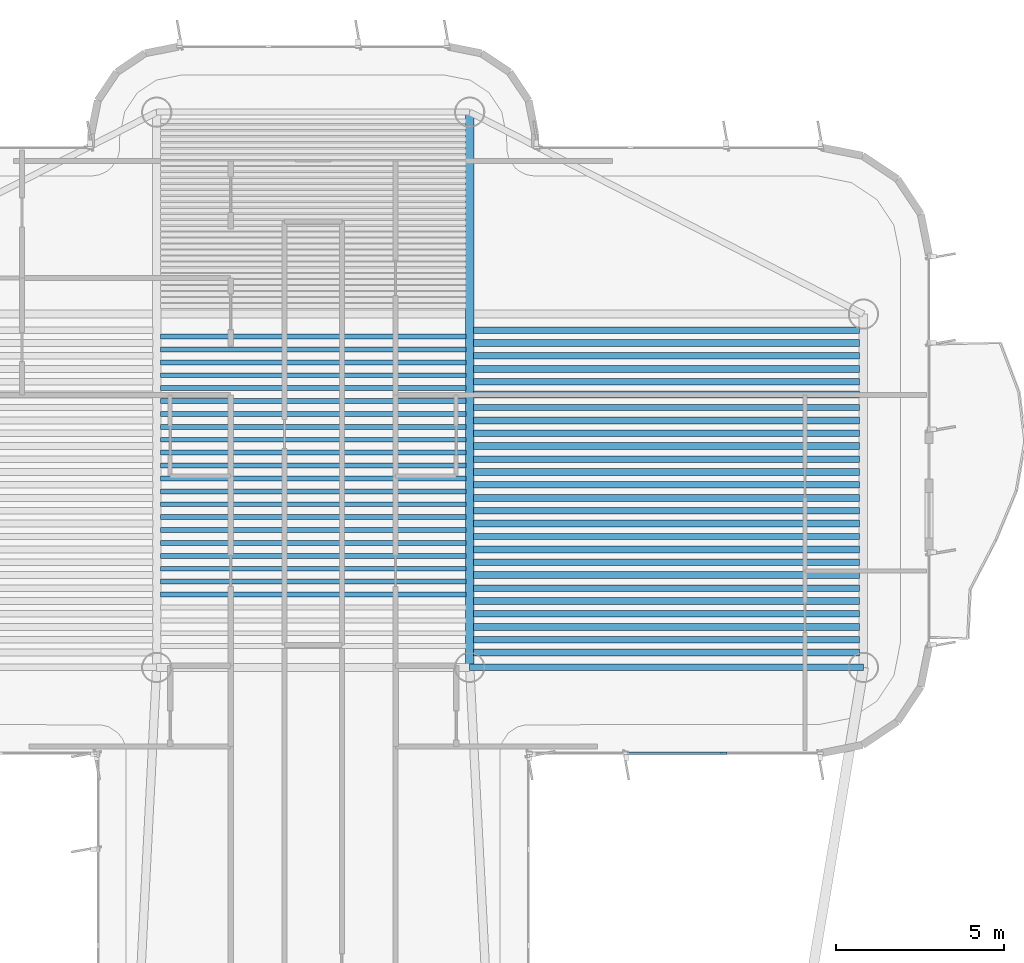
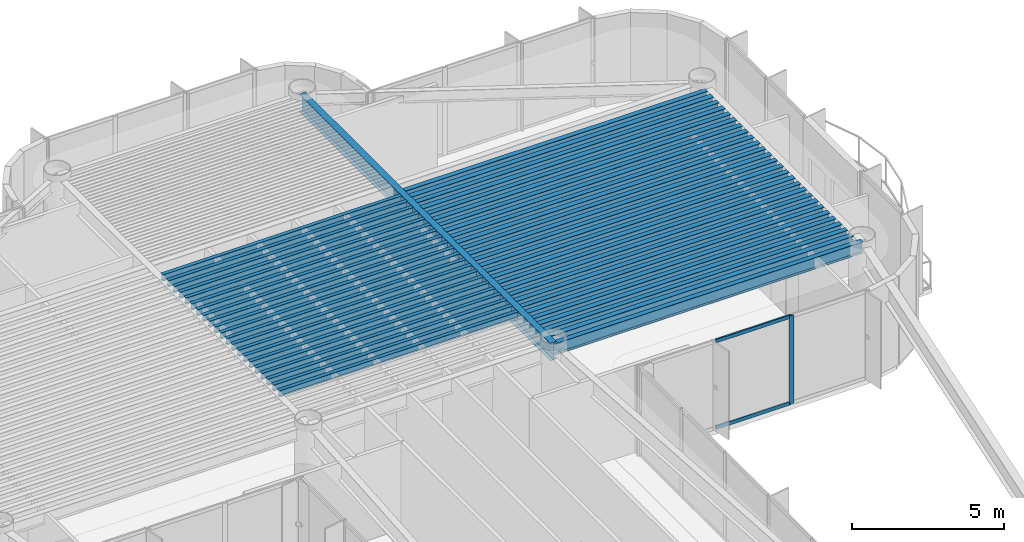
# One storey, part 6 of 15: 49 beams, 3 members, 1 element without a shape of its own.
"""IFC4 building model written with IfcOpenShell, lengths in metres."""

from ifc_helpers import new_model, si_unit, direction, frame, origin, origin_2d, place, context, subcontext, project, spatial, rectangle, i_section, extrude, source, transform, mapped, material, layer, layer_set, material_profile, profile_set, type_object, element, aggregate, save


model = new_model("IFC4")

# Units and contexts
model_context = context("Model", 3, precision=1e-05, world=origin(), true_north=direction((0.0, 1.0)))
body_context = subcontext(model_context, "Body", "Model", "MODEL_VIEW")
ifc_project = project(units=[si_unit("LENGTHUNIT", "METRE"), si_unit("AREAUNIT", "SQUARE_METRE"), si_unit("VOLUMEUNIT", "CUBIC_METRE"), si_unit("PLANEANGLEUNIT", "RADIAN"), si_unit("MASSUNIT", "GRAM", prefix="KILO")], contexts=[model_context])

# Site, building, storey
site_placement = place(None, origin())
site = spatial("IfcSite", under=ifc_project, at=site_placement, CompositionType="ELEMENT")
building_placement = place(site_placement, origin())
building = spatial("IfcBuilding", under=site, at=building_placement, Name="Brelvock Crest Care Tower", CompositionType="ELEMENT")
storey_placement = place(building_placement, frame((0.0, 0.0, 272.159912109375)))
storey = spatial("IfcBuildingStorey", under=building, at=storey_placement, Name="L69", CompositionType="ELEMENT", Elevation=272.159912109375)

# Beams
ifc_material_1 = material(Name="Steel Grade 350", Category="steel")
ifc_material_profile_1 = material_profile(ifc_material_1, i_section(OverallWidth=0.14599609375, OverallDepth=0.256103515625, WebThickness=0.00634765625, FlangeThickness=0.010986328125, FilletRadius=0.0087890625, at=origin_2d()), Name="250UB37.3")
ifc_profile_set_1 = profile_set([ifc_material_profile_1], Name="Steel Grade 350")
beam_type_1 = type_object("IfcBeamType", Name="BM-J3", PredefinedType="JOIST", material=ifc_profile_set_1)
shared_shape_1 = source(origin(), body_context, "Body", "SweptSolid", [
    extrude(i_section(OverallWidth=0.14599609375, OverallDepth=0.256103515625, WebThickness=0.00634765625, FlangeThickness=0.010986328125, FilletRadius=0.0087890625, at=origin_2d()), origin(), (0.0, 0.0, 1.0), 9.06982421875),
])
for number, where, z_axis, x_axis, name in (
    (1, (31.465087890625, 46.115478515625, 3.402099609375), (1.0, 0.0, 0.0), (0.0, 1.0, 0.0), "BM-JH-L69-5"),
    (2, (31.465087890625, 46.498779296875, 3.402099609375), (1.0, 0.0, 0.0), (0.0, 1.0, 0.0), "BM-JH-L69-6"),
    (3, (31.465087890625, 46.882080078125, 3.402099609375), (1.0, 0.0, 0.0), (0.0, 1.0, 0.0), "BM-JH-L69-7"),
    (4, (31.465087890625, 47.265380859375, 3.402099609375), (1.0, 0.0, 0.0), (0.0, 1.0, 0.0), "BM-JH-L69-8"),
    (5, (31.465087890625, 47.648681640625, 3.402099609375), (1.0, 0.0, 0.0), (0.0, 1.0, 0.0), "BM-JH-L69-9"),
    (6, (31.465087890625, 48.031982421875, 3.402099609375), (1.0, 0.0, 0.0), (0.0, 1.0, 0.0), "BM-JH-L69-10"),
    (7, (31.465087890625, 48.4150390625, 3.402099609375), (1.0, 0.0, 0.0), (0.0, 1.0, 0.0), "BM-JH-L69-11"),
    (8, (31.465087890625, 48.79833984375, 3.402099609375), (1.0, 0.0, 0.0), (0.0, 1.0, 0.0), "BM-JH-L69-12"),
    (9, (31.465087890625, 49.181640625, 3.402099609375), (1.0, 0.0, 0.0), (0.0, 1.0, 0.0), "BM-JH-L69-13"),
    (10, (31.465087890625, 49.564697265625, 3.402099609375), (1.0, 0.0, 0.0), (0.0, 1.0, 0.0), "BM-JH-L69-14"),
    (11, (31.465087890625, 49.947998046875, 3.402099609375), (1.0, 0.0, 0.0), (0.0, 1.0, 0.0), "BM-JH-L69-15"),
    (12, (31.465087890625, 50.331298828125, 3.402099609375), (1.0, 0.0, 0.0), (0.0, 1.0, 0.0), "BM-JH-L69-16"),
    (13, (31.465087890625, 50.714599609375, 3.402099609375), (1.0, 0.0, 0.0), (0.0, 1.0, 0.0), "BM-JH-L69-17"),
    (14, (31.465087890625, 51.097900390625, 3.402099609375), (1.0, 0.0, 0.0), (0.0, 1.0, 0.0), "BM-JH-L69-18"),
    (15, (31.465087890625, 51.481201171875, 3.402099609375), (1.0, 0.0, 0.0), (0.0, 1.0, 0.0), "BM-JH-L69-19"),
    (16, (31.465087890625, 51.864501953125, 3.402099609375), (1.0, 0.0, 0.0), (0.0, 1.0, 0.0), "BM-JH-L69-20"),
    (17, (31.465087890625, 52.24755859375, 3.402099609375), (1.0, 0.0, 0.0), (0.0, 1.0, 0.0), "BM-JH-L69-21"),
    (18, (31.465087890625, 52.630859375, 3.402099609375), (1.0, 0.0, 0.0), (0.0, 1.0, 0.0), "BM-JH-L69-22"),
    (19, (31.465087890625, 53.01416015625, 3.402099609375), (1.0, 0.0, 0.0), (0.0, 1.0, 0.0), "BM-JH-L69-23"),
    (20, (31.465087890625, 53.3974609375, 3.402099609375), (1.0, 0.0, 0.0), (0.0, 1.0, 0.0), "BM-JH-L69-24"),
    (21, (31.465087890625, 53.780517578125, 3.402099609375), (1.0, 0.0, 0.0), (0.0, 1.0, 0.0), "BM-JH-L69-25"),
):
    element("IfcBeam", number, at=place(storey_placement, frame(where, z_axis=z_axis, x_axis=x_axis)), inside=storey, type_object=beam_type_1, Name=name, PredefinedType="JOIST", context=body_context, shape_type="MappedRepresentation", body=[
        mapped(shared_shape_1, transform((0.0, 0.0, 0.0), x_axis=(1.0, 0.0, 0.0), y_axis=(0.0, 1.0, 0.0), z_axis=(0.0, 0.0, 1.0), scale=1.0)),
    ])
ifc_material_profile_2 = material_profile(ifc_material_1, i_section(OverallWidth=0.19091796875, OverallDepth=0.4599609375, WebThickness=0.010009765625, FlangeThickness=0.01611328125, FilletRadius=0.011474609375, at=origin_2d()), Name="460UB82.1")
ifc_profile_set_2 = profile_set([ifc_material_profile_2], Name="Steel Grade 350")
beam_type_2 = type_object("IfcBeamType", Name="BM-G3", PredefinedType="BEAM", material=ifc_profile_set_2)
shared_shape_2 = source(origin(), body_context, "Body", "SweptSolid", [
    extrude(i_section(OverallWidth=0.19091796875, OverallDepth=0.4599609375, WebThickness=0.010009765625, FlangeThickness=0.01611328125, FilletRadius=0.011474609375, at=origin_2d()), origin(), (0.0, 0.0, 1.0), 11.47021484375),
])
for number, where, z_axis, x_axis, name in (
    (22, (40.764892578125, 44.7744140625, 3.300048828125), (1.0, 0.0, 0.0), (0.0, 1.0, 0.0), "BM-JE-L69-2"),
    (23, (40.764892578125, 45.540771484375, 3.300048828125), (1.0, 0.0, 0.0), (0.0, 1.0, 0.0), "BM-JE-L69-4"),
    (24, (40.764892578125, 46.307373046875, 3.300048828125), (1.0, 0.0, 0.0), (0.0, 1.0, 0.0), "BM-JE-L69-6"),
    (25, (40.764892578125, 47.07373046875, 3.300048828125), (1.0, 0.0, 0.0), (0.0, 1.0, 0.0), "BM-JE-L69-8"),
    (26, (40.764892578125, 47.84033203125, 3.300048828125), (1.0, 0.0, 0.0), (0.0, 1.0, 0.0), "BM-JE-L69-10"),
    (27, (40.764892578125, 48.606689453125, 3.300048828125), (1.0, 0.0, 0.0), (0.0, 1.0, 0.0), "BM-JE-L69-12"),
    (28, (40.764892578125, 49.373291015625, 3.300048828125), (1.0, 0.0, 0.0), (0.0, 1.0, 0.0), "BM-JE-L69-14"),
    (29, (40.764892578125, 50.139892578125, 3.300048828125), (1.0, 0.0, 0.0), (0.0, 1.0, 0.0), "BM-JE-L69-16"),
    (30, (40.764892578125, 50.90625, 3.300048828125), (1.0, 0.0, 0.0), (0.0, 1.0, 0.0), "BM-JE-L69-18"),
    (31, (40.764892578125, 51.6728515625, 3.300048828125), (1.0, 0.0, 0.0), (0.0, 1.0, 0.0), "BM-JE-L69-20"),
    (32, (40.764892578125, 52.439208984375, 3.300048828125), (1.0, 0.0, 0.0), (0.0, 1.0, 0.0), "BM-JE-L69-22"),
    (33, (40.764892578125, 53.205810546875, 3.300048828125), (1.0, 0.0, 0.0), (0.0, 1.0, 0.0), "BM-JE-L69-24"),
    (34, (40.764892578125, 53.972412109375, 3.300048828125), (1.0, 0.0, 0.0), (0.0, 1.0, 0.0), "BM-JE-L69-26"),
):
    element("IfcBeam", number, at=place(storey_placement, frame(where, z_axis=z_axis, x_axis=x_axis)), inside=storey, type_object=beam_type_2, Name=name, PredefinedType="BEAM", context=body_context, shape_type="MappedRepresentation", body=[
        mapped(shared_shape_2, transform((0.0, 0.0, 0.0), x_axis=(1.0, 0.0, 0.0), y_axis=(0.0, 1.0, 0.0), z_axis=(0.0, 0.0, 1.0), scale=1.0)),
    ])
ifc_material_profile_3 = material_profile(ifc_material_1, i_section(OverallWidth=0.208984375, OverallDepth=0.532958984375, WebThickness=0.01025390625, FlangeThickness=0.015625, FilletRadius=0.013916015625, at=origin_2d()), Name="530UB92.4")
ifc_profile_set_3 = profile_set([ifc_material_profile_3], Name="Steel Grade 350")
beam_type_3 = type_object("IfcBeamType", Name="BM-G2", PredefinedType="BEAM", material=ifc_profile_set_3)
shared_shape_3 = source(origin(), body_context, "Body", "SweptSolid", [
    extrude(i_section(OverallWidth=0.208984375, OverallDepth=0.532958984375, WebThickness=0.01025390625, FlangeThickness=0.015625, FilletRadius=0.013916015625, at=origin_2d()), origin(), (0.0, 0.0, 1.0), 11.47021484375),
])
for number, where, z_axis, x_axis, name in (
    (35, (40.764892578125, 44.39111328125, 3.263671875), (1.0, 0.0, 0.0), (0.0, 1.0, 0.0), "BM-JE-L69-1"),
    (36, (40.764892578125, 45.157470703125, 3.263671875), (1.0, 0.0, 0.0), (0.0, 1.0, 0.0), "BM-JE-L69-3"),
    (37, (40.764892578125, 45.924072265625, 3.263671875), (1.0, 0.0, 0.0), (0.0, 1.0, 0.0), "BM-JE-L69-5"),
    (38, (40.764892578125, 46.6904296875, 3.263671875), (1.0, 0.0, 0.0), (0.0, 1.0, 0.0), "BM-JE-L69-7"),
    (39, (40.764892578125, 47.45703125, 3.263671875), (1.0, 0.0, 0.0), (0.0, 1.0, 0.0), "BM-JE-L69-9"),
    (40, (40.764892578125, 48.223388671875, 3.263671875), (1.0, 0.0, 0.0), (0.0, 1.0, 0.0), "BM-JE-L69-11"),
    (41, (40.764892578125, 48.989990234375, 3.263671875), (1.0, 0.0, 0.0), (0.0, 1.0, 0.0), "BM-JE-L69-13"),
    (42, (40.764892578125, 49.756591796875, 3.263671875), (1.0, 0.0, 0.0), (0.0, 1.0, 0.0), "BM-JE-L69-15"),
    (43, (40.764892578125, 50.52294921875, 3.263671875), (1.0, 0.0, 0.0), (0.0, 1.0, 0.0), "BM-JE-L69-17"),
    (44, (40.764892578125, 51.28955078125, 3.263671875), (1.0, 0.0, 0.0), (0.0, 1.0, 0.0), "BM-JE-L69-19"),
    (45, (40.764892578125, 52.055908203125, 3.263671875), (1.0, 0.0, 0.0), (0.0, 1.0, 0.0), "BM-JE-L69-21"),
    (46, (40.764892578125, 52.822509765625, 3.263671875), (1.0, 0.0, 0.0), (0.0, 1.0, 0.0), "BM-JE-L69-23"),
    (47, (40.764892578125, 53.589111328125, 3.263671875), (1.0, 0.0, 0.0), (0.0, 1.0, 0.0), "BM-JE-L69-25"),
):
    element("IfcBeam", number, at=place(storey_placement, frame(where, z_axis=z_axis, x_axis=x_axis)), inside=storey, type_object=beam_type_3, Name=name, PredefinedType="BEAM", context=body_context, shape_type="MappedRepresentation", body=[
        mapped(shared_shape_3, transform((0.0, 0.0, 0.0), x_axis=(1.0, 0.0, 0.0), y_axis=(0.0, 1.0, 0.0), z_axis=(0.0, 0.0, 1.0), scale=1.0)),
    ])
ifc_material_profile_4 = material_profile(ifc_material_1, i_section(OverallWidth=0.19091796875, OverallDepth=0.4599609375, WebThickness=0.010009765625, FlangeThickness=0.01611328125, FilletRadius=0.011474609375, at=origin_2d()), Name="460UB82.1")
ifc_profile_set_4 = profile_set([ifc_material_profile_4], Name="Steel Grade 350")
beam_type_4 = type_object("IfcBeamType", Name="BM-SP2", PredefinedType="SPANDREL", material=ifc_profile_set_4)
shared_shape_4 = source(origin(), body_context, "Body", "SweptSolid", [
    extrude(i_section(OverallWidth=0.19091796875, OverallDepth=0.4599609375, WebThickness=0.010009765625, FlangeThickness=0.01611328125, FilletRadius=0.011474609375, at=origin_2d()), origin(), (0.0, 0.0, 1.0), 11.7001953125),
])
beam_1_placement = place(storey_placement, frame((40.64990234375, 43.949951171875, 3.300048828125), z_axis=(1.0, 0.0, 0.0), x_axis=(0.0, 1.0, 0.0)))
element("IfcBeam", 48, at=beam_1_placement, inside=storey, type_object=beam_type_4, Name="BM-TWR-L69-04", PredefinedType="SPANDREL", context=body_context, shape_type="MappedRepresentation", body=[
    mapped(shared_shape_4, transform((0.0, 0.0, 0.0), x_axis=(1.0, 0.0, 0.0), y_axis=(0.0, 1.0, 0.0), z_axis=(0.0, 0.0, 1.0), scale=1.0)),
])
ifc_material_profile_5 = material_profile(ifc_material_1, i_section(OverallWidth=0.25, OverallDepth=0.699951171875, WebThickness=0.011962890625, FlangeThickness=0.02001953125, at=origin_2d()), Name="700WB150")
ifc_profile_set_5 = profile_set([ifc_material_profile_5], Name="Steel Grade 350")
beam_type_5 = type_object("IfcBeamType", Name="BM-G4", PredefinedType="BEAM", material=ifc_profile_set_5)
shared_shape_5 = source(origin(), body_context, "Body", "SweptSolid", [
    extrude(i_section(OverallWidth=0.25, OverallDepth=0.699951171875, WebThickness=0.011962890625, FlangeThickness=0.02001953125, at=origin_2d()), origin(), (0.0, 0.0, 1.0), 16.5),
])
beam_2_placement = place(storey_placement, frame((40.64990234375, 43.949951171875, 3.18017578125), z_axis=(0.0, 1.0, 0.0), x_axis=(-1.0, 0.0, 0.0)))
element("IfcBeam", 49, at=beam_2_placement, inside=storey, type_object=beam_type_5, Name="BM-TWR-L69-10", PredefinedType="BEAM", context=body_context, shape_type="MappedRepresentation", body=[
    mapped(shared_shape_5, transform((0.0, 0.0, 0.0), x_axis=(1.0, 0.0, 0.0), y_axis=(0.0, 1.0, 0.0), z_axis=(0.0, 0.0, 1.0), scale=1.0)),
])

# Curtain wall, members
ifc_material_2 = material(Name="Dark Glass Double Glazed Low-E", Category="glass")
ifc_layer = layer(ifc_material_2, 0.239990234375, Name="CWS-5")
ifc_layer_set = layer_set([ifc_layer], Name="Dark Glass Double Glazed Low-E")
curtain_wall_type = type_object("IfcCurtainWallType", Name="CWS-5", PredefinedType="NOTDEFINED", material=ifc_layer_set)
curtain_wall_placement = place(storey_placement, origin())
curtain_wall = element("IfcCurtainWall", 50, at=curtain_wall_placement, inside=storey, type_object=curtain_wall_type, Name="L69 Curtain Wall E44", PredefinedType="NOTDEFINED")
ifc_material_3 = material(Name="Aluminium 6063-T6", Category="aluminium")
ifc_material_profile_6 = material_profile(ifc_material_3, rectangle(XDim=0.06005859375, YDim=0.179931640625, at=origin_2d()), Name="ALU60x180")
ifc_profile_set_6 = profile_set([ifc_material_profile_6], Name="Aluminium 6063-T6")
member_type_1 = type_object("IfcMemberType", Name="CWM-2", PredefinedType="MULLION", material=ifc_profile_set_6)
shared_shape_6 = source(origin(), body_context, "Body", "SweptSolid", [
    extrude(rectangle(XDim=0.06005859375, YDim=0.179931640625, at=origin_2d()), origin(), (0.0, 0.0, 1.0), 3.530029296875),
])
member_1_placement = place(storey_placement, frame((48.199951171875, 41.39990234375, 0.0), z_axis=(0.0, 0.0, 1.0), x_axis=(0.0, -1.0, 0.0)))
member_1 = element("IfcMember", 51, at=member_1_placement, type_object=member_type_1, Name="CW-5 mullion 2", PredefinedType="MULLION", context=body_context, shape_type="MappedRepresentation", body=[
    mapped(shared_shape_6, transform((0.0, 0.0, 0.0), x_axis=(1.0, 0.0, 0.0), y_axis=(0.0, 1.0, 0.0), z_axis=(0.0, 0.0, 1.0), scale=1.0)),
])
ifc_material_profile_7 = material_profile(ifc_material_3, rectangle(XDim=0.06005859375, YDim=0.139892578125, at=origin_2d()), Name="ALU60x140")
ifc_profile_set_7 = profile_set([ifc_material_profile_7], Name="Aluminium 6063-T6")
member_type_2 = type_object("IfcMemberType", Name="CWT-2", PredefinedType="USERDEFINED", material=ifc_profile_set_7)
shared_shape_7 = source(origin(), body_context, "Body", "SweptSolid", [
    extrude(rectangle(XDim=0.06005859375, YDim=0.139892578125, at=origin_2d()), origin(), (0.0, 0.0, 1.0), 2.83984375),
])
member_2_placement = place(storey_placement, frame((48.169921875, 41.39990234375, 0.030029296875), z_axis=(-1.0, 0.0, 0.0), x_axis=(0.0, -1.0, 0.0)))
member_2 = element("IfcMember", 52, at=member_2_placement, type_object=member_type_2, Name="CW-5 transom 2.1", ObjectType="TRANSOM", PredefinedType="USERDEFINED", context=body_context, shape_type="MappedRepresentation", body=[
    mapped(shared_shape_7, transform((0.0, 0.0, 0.0), x_axis=(1.0, 0.0, 0.0), y_axis=(0.0, 1.0, 0.0), z_axis=(0.0, 0.0, 1.0), scale=1.0)),
])
member_3_placement = place(storey_placement, frame((48.169921875, 41.39990234375, 3.5), z_axis=(-1.0, 0.0, 0.0), x_axis=(0.0, -1.0, 0.0)))
member_3 = element("IfcMember", 53, at=member_3_placement, type_object=member_type_2, Name="CW-5 transom 2.2", ObjectType="TRANSOM", PredefinedType="USERDEFINED", context=body_context, shape_type="MappedRepresentation", body=[
    mapped(shared_shape_7, transform((0.0, 0.0, 0.0), x_axis=(1.0, 0.0, 0.0), y_axis=(0.0, 1.0, 0.0), z_axis=(0.0, 0.0, 1.0), scale=1.0)),
])
aggregate(curtain_wall, [member_1, member_2, member_3])

save(model, "model.ifc")
